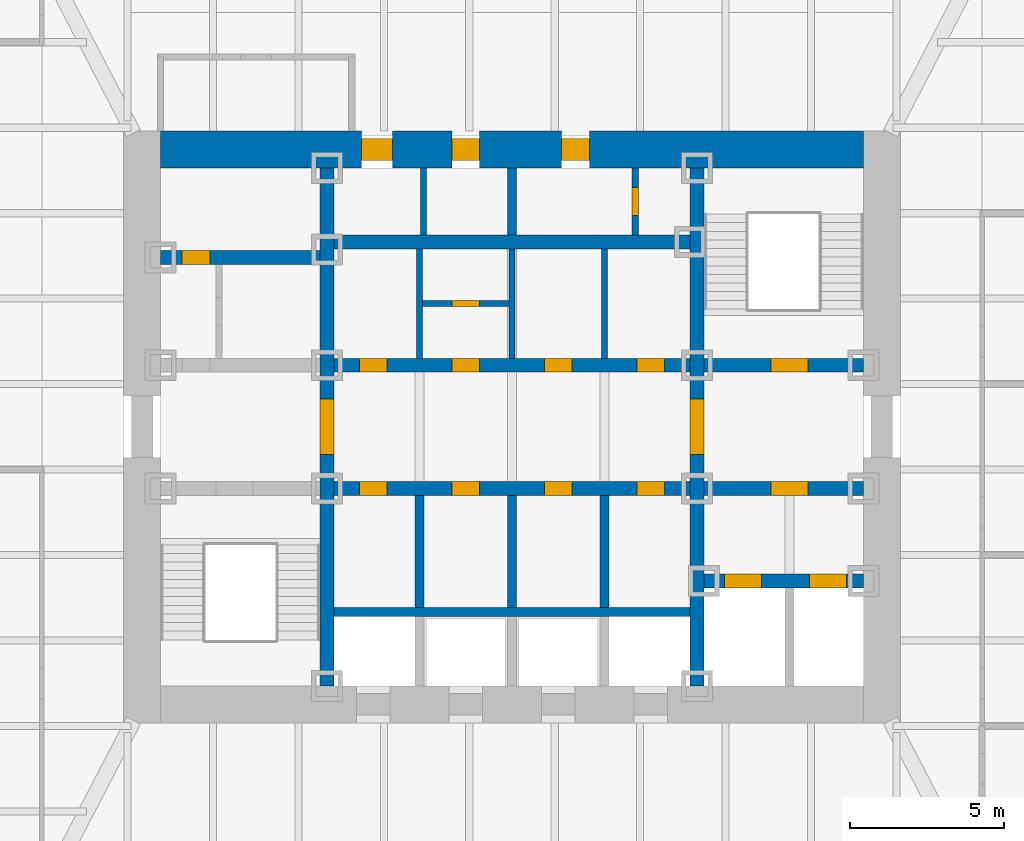
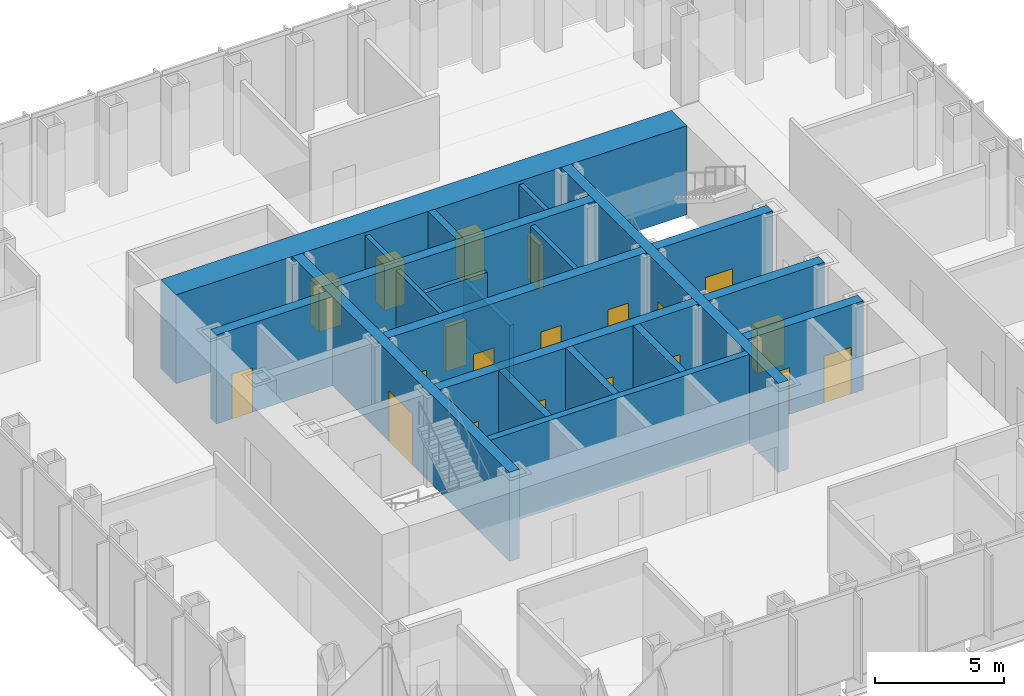
# One storey, part 9 of 16: 21 walls, 20 doors, 20 openings.
"""IFC4 building model written with IfcOpenShell, lengths in metres."""

from ifc_helpers import new_model, si_unit, direction, frame, frame_2d, origin, place, context, subcontext, project, spatial, rectangle, extrude, material, layer, layer_set, type_object, element, fill, save


model = new_model("IFC4")

# Units and contexts
model_context = context("Model", 3, precision=1e-05, world=origin(), true_north=direction((0.0, 1.0)))
body_context = subcontext(model_context, "Body", "Model", "MODEL_VIEW")
ifc_project = project(units=[si_unit("LENGTHUNIT", "METRE"), si_unit("AREAUNIT", "SQUARE_METRE"), si_unit("VOLUMEUNIT", "CUBIC_METRE"), si_unit("PLANEANGLEUNIT", "RADIAN"), si_unit("MASSUNIT", "GRAM", prefix="KILO")], contexts=[model_context])

# Site, building, storey
site_placement = place(None, origin())
site = spatial("IfcSite", under=ifc_project, at=site_placement, CompositionType="ELEMENT")
building_placement = place(site_placement, origin())
building = spatial("IfcBuilding", under=site, at=building_placement, Name="Daluyong Arena Tower", CompositionType="ELEMENT")
storey_placement = place(building_placement, frame((0.0, 0.0, 271.300048828125)))
storey = spatial("IfcBuildingStorey", under=building, at=storey_placement, Name="L61", CompositionType="ELEMENT", Elevation=271.300048828125)

# Wall, opening, door
ifc_material_1 = material(Name="Concrete fc' 45 MPa", Category="concrete")
ifc_layer_1 = layer(ifc_material_1, 0.449951171875)
ifc_layer_set_1 = layer_set([ifc_layer_1], Name="Concrete fc' 45 MPa")
wall_type_1 = type_object("IfcWallType", Name="Core inner wall 450", PredefinedType="SHEAR", material=ifc_layer_set_1)
wall_1_placement = place(storey_placement, frame((50.0, 71.60009765625, 0.0), z_axis=(0.0, 0.0, 1.0), x_axis=(0.0, 1.0, 0.0)))
wall_1 = element("IfcWall", 1, at=wall_1_placement, inside=storey, type_object=wall_type_1, Name="core inner wall at L61", PredefinedType="SHEAR", context=body_context, shape_type="SweptSolid", body=[
    extrude(rectangle(XDim=16.7998046875, YDim=0.449951171875, at=frame_2d((8.39990234375, 0.0))), origin(), (0.0, 0.0, 1.0), 4.199951171875),
])
opening_1_placement = place(wall_1_placement, frame((7.5, 0.0, 0.0)))
opening_1 = element("IfcOpeningElement", 2, at=opening_1_placement, cuts=wall_1, Name="Opening 61021", PredefinedType="OPENING", context=body_context, shape_type="SweptSolid", body=[
    extrude(rectangle(XDim=1.800048828125, YDim=2.39990234375, at=frame_2d((0.89990234375, 1.199951171875))), frame((0.0, 0.23486328125, 0.0), z_axis=(0.0, -1.0, 0.0), x_axis=(1.0, 0.0, 0.0)), (0.0, 0.0, 1.0), 0.469970703125),
])
ifc_material_2 = material(Name="Steel door, fire rated", Category="steel")
door_type_1 = type_object("IfcDoorType", Name="Lift lobby opening door 1800", OperationType="DOUBLE_DOOR_SINGLE_SWING", PredefinedType="DOOR", material=ifc_material_2)
door_1_placement = place(opening_1_placement, origin())
door_1 = element("IfcDoor", 3, at=door_1_placement, inside=storey, type_object=door_type_1, Name="lift lobby door west 61021", OperationType="DOUBLE_DOOR_SINGLE_SWING", OverallHeight=2.39990234375, OverallWidth=1.800048828125, PredefinedType="DOOR", context=body_context, shape_type="SweptSolid", body=[
    extrude(rectangle(XDim=1.800048828125, YDim=2.39990234375, at=frame_2d((0.89990234375, 1.199951171875))), frame((0.0, 0.224609375, 0.0), z_axis=(0.0, -1.0, 0.0), x_axis=(1.0, 0.0, 0.0)), (0.0, 0.0, 1.0), 0.449462890625),
])
fill(opening_1, door_1)

wall_2_placement = place(storey_placement, frame((62.0, 71.60009765625, 0.0), z_axis=(0.0, 0.0, 1.0), x_axis=(0.0, 1.0, 0.0)))
wall_2 = element("IfcWall", 4, at=wall_2_placement, inside=storey, type_object=wall_type_1, Name="core inner wall at L61", PredefinedType="SHEAR", context=body_context, shape_type="SweptSolid", body=[
    extrude(rectangle(XDim=16.7998046875, YDim=0.449951171875, at=frame_2d((8.39990234375, 0.0))), origin(), (0.0, 0.0, 1.0), 4.199951171875),
])
opening_2_placement = place(wall_2_placement, frame((7.5, 0.0, 0.0)))
opening_2 = element("IfcOpeningElement", 5, at=opening_2_placement, cuts=wall_2, Name="Opening 61022", PredefinedType="OPENING", context=body_context, shape_type="SweptSolid", body=[
    extrude(rectangle(XDim=1.800048828125, YDim=2.39990234375, at=frame_2d((0.89990234375, 1.199951171875))), frame((0.0, 0.23486328125, 0.0), z_axis=(0.0, -1.0, 0.0), x_axis=(1.0, 0.0, 0.0)), (0.0, 0.0, 1.0), 0.469970703125),
])
door_2_placement = place(opening_2_placement, origin())
door_2 = element("IfcDoor", 6, at=door_2_placement, inside=storey, type_object=door_type_1, Name="lift lobby door east 61022", OperationType="DOUBLE_DOOR_SINGLE_SWING", OverallHeight=2.39990234375, OverallWidth=1.800048828125, PredefinedType="DOOR", context=body_context, shape_type="SweptSolid", body=[
    extrude(rectangle(XDim=1.800048828125, YDim=2.39990234375, at=frame_2d((0.89990234375, 1.199951171875))), frame((0.0, 0.224609375, 0.0), z_axis=(0.0, -1.0, 0.0), x_axis=(1.0, 0.0, 0.0)), (0.0, 0.0, 1.0), 0.449462890625),
])
fill(opening_2, door_2)

wall_3_placement = place(storey_placement, frame((44.60009765625, 85.5, 0.0), z_axis=(0.0, 0.0, 1.0), x_axis=(1.0, 0.0, 0.0)))
wall_3 = element("IfcWall", 7, at=wall_3_placement, inside=storey, type_object=wall_type_1, Name="core inner wall at L61", PredefinedType="SHEAR", context=body_context, shape_type="SweptSolid", body=[
    extrude(rectangle(XDim=5.1748046875, YDim=0.449951171875, at=frame_2d((2.58740234375, 0.0))), origin(), (0.0, 0.0, 1.0), 4.199951171875),
])
opening_3_placement = place(wall_3_placement, frame((0.699951171875, 0.0, 0.0)))
opening_3 = element("IfcOpeningElement", 8, at=opening_3_placement, cuts=wall_3, Name="Opening 61003", PredefinedType="OPENING", context=body_context, shape_type="SweptSolid", body=[
    extrude(rectangle(XDim=0.89990234375, YDim=2.10009765625, at=frame_2d((0.449951171875, 1.050048828125))), frame((0.0, 0.23486328125, 0.0), z_axis=(0.0, -1.0, 0.0), x_axis=(1.0, 0.0, 0.0)), (0.0, 0.0, 1.0), 0.469970703125),
])
ifc_material_3 = material(Name="Timber door", Category="wood")
door_type_2 = type_object("IfcDoorType", Name="Toilet door 900", OperationType="SINGLE_SWING_RIGHT", PredefinedType="DOOR", material=ifc_material_3)
door_3_placement = place(opening_3_placement, origin())
door_3 = element("IfcDoor", 9, at=door_3_placement, inside=storey, type_object=door_type_2, Name="female toilet door 61003", OperationType="SINGLE_SWING_RIGHT", OverallHeight=2.10009765625, OverallWidth=0.89990234375, PredefinedType="DOOR", context=body_context, shape_type="SweptSolid", body=[
    extrude(rectangle(XDim=0.89990234375, YDim=2.10009765625, at=frame_2d((0.449951171875, 1.050048828125))), frame((0.0, 0.224609375, 0.0), z_axis=(0.0, -1.0, 0.0), x_axis=(1.0, 0.0, 0.0)), (0.0, 0.0, 1.0), 0.449462890625),
])
fill(opening_3, door_3)

# Wall, openings, doors
wall_4_placement = place(storey_placement, frame((62.22509765625, 75.0, 0.0), z_axis=(0.0, 0.0, 1.0), x_axis=(1.0, 0.0, 0.0)))
wall_4 = element("IfcWall", 10, at=wall_4_placement, inside=storey, type_object=wall_type_1, Name="core inner wall at L61", PredefinedType="SHEAR", context=body_context, shape_type="SweptSolid", body=[
    extrude(rectangle(XDim=5.1748046875, YDim=0.449951171875, at=frame_2d((2.58740234375, 0.0))), origin(), (0.0, 0.0, 1.0), 4.199951171875),
])
opening_4_placement = place(wall_4_placement, frame((0.675048828125, 0.0, 0.0)))
opening_4 = element("IfcOpeningElement", 11, at=opening_4_placement, cuts=wall_4, Name="Opening 61028", PredefinedType="OPENING", context=body_context, shape_type="SweptSolid", body=[
    extrude(rectangle(XDim=1.199951171875, YDim=2.199951171875, at=frame_2d((0.60009765625, 1.10009765625))), frame((0.0, 0.23486328125, 0.0), z_axis=(0.0, -1.0, 0.0), x_axis=(1.0, 0.0, 0.0)), (0.0, 0.0, 1.0), 0.469970703125),
])
opening_5_placement = place(wall_4_placement, frame((3.425048828125, 0.0, 0.0)))
opening_5 = element("IfcOpeningElement", 12, at=opening_5_placement, cuts=wall_4, Name="Opening 61029", PredefinedType="OPENING", context=body_context, shape_type="SweptSolid", body=[
    extrude(rectangle(XDim=1.199951171875, YDim=2.199951171875, at=frame_2d((0.60009765625, 1.10009765625))), frame((0.0, 0.23486328125, 0.0), z_axis=(0.0, -1.0, 0.0), x_axis=(1.0, 0.0, 0.0)), (0.0, 0.0, 1.0), 0.469970703125),
])
ifc_material_4 = material(Name="Steel door, fire rated", Category="steel")
door_type_3 = type_object("IfcDoorType", Name="Firefighting lift landing door 1200", OperationType="SLIDING_TO_LEFT", PredefinedType="DOOR", material=ifc_material_4)
door_4_placement = place(opening_4_placement, origin())
door_4 = element("IfcDoor", 13, at=door_4_placement, inside=storey, type_object=door_type_3, Name="firefighting lift landing door F1 61028", OperationType="SLIDING_TO_LEFT", OverallHeight=2.199951171875, OverallWidth=1.199951171875, PredefinedType="DOOR", context=body_context, shape_type="SweptSolid", body=[
    extrude(rectangle(XDim=1.199951171875, YDim=2.199951171875, at=frame_2d((0.60009765625, 1.10009765625))), frame((0.0, 0.224609375, 0.0), z_axis=(0.0, -1.0, 0.0), x_axis=(1.0, 0.0, 0.0)), (0.0, 0.0, 1.0), 0.449462890625),
])
fill(opening_4, door_4)
door_5_placement = place(opening_5_placement, origin())
door_5 = element("IfcDoor", 14, at=door_5_placement, inside=storey, type_object=door_type_3, Name="firefighting lift landing door F2 61029", OperationType="SLIDING_TO_LEFT", OverallHeight=2.199951171875, OverallWidth=1.199951171875, PredefinedType="DOOR", context=body_context, shape_type="SweptSolid", body=[
    extrude(rectangle(XDim=1.199951171875, YDim=2.199951171875, at=frame_2d((0.60009765625, 1.10009765625))), frame((0.0, 0.224609375, 0.0), z_axis=(0.0, -1.0, 0.0), x_axis=(1.0, 0.0, 0.0)), (0.0, 0.0, 1.0), 0.449462890625),
])
fill(opening_5, door_5)

# Wall, opening, door
wall_5_placement = place(storey_placement, frame((62.22509765625, 78.0, 0.0), z_axis=(0.0, 0.0, 1.0), x_axis=(1.0, 0.0, 0.0)))
wall_5 = element("IfcWall", 15, at=wall_5_placement, inside=storey, type_object=wall_type_1, Name="core inner wall at L61", PredefinedType="SHEAR", context=body_context, shape_type="SweptSolid", body=[
    extrude(rectangle(XDim=5.1748046875, YDim=0.449951171875, at=frame_2d((2.58740234375, 0.0))), origin(), (0.0, 0.0, 1.0), 4.199951171875),
])
opening_6_placement = place(wall_5_placement, frame((2.175048828125, 0.0, 0.0)))
opening_6 = element("IfcOpeningElement", 16, at=opening_6_placement, cuts=wall_5, Name="Opening 61023", PredefinedType="OPENING", context=body_context, shape_type="SweptSolid", body=[
    extrude(rectangle(XDim=1.199951171875, YDim=2.10009765625, at=frame_2d((0.60009765625, 1.050048828125))), frame((0.0, 0.23486328125, 0.0), z_axis=(0.0, -1.0, 0.0), x_axis=(1.0, 0.0, 0.0)), (0.0, 0.0, 1.0), 0.469970703125),
])
ifc_material_5 = material(Name="Steel door, fire rated", Category="steel")
door_type_4 = type_object("IfcDoorType", Name="Firefighting lobby door 1200", OperationType="SINGLE_SWING_RIGHT", PredefinedType="DOOR", material=ifc_material_5)
door_6_placement = place(opening_6_placement, origin())
door_6 = element("IfcDoor", 17, at=door_6_placement, inside=storey, type_object=door_type_4, Name="firefighting lobby door 61023", OperationType="SINGLE_SWING_RIGHT", OverallHeight=2.10009765625, OverallWidth=1.199951171875, PredefinedType="DOOR", context=body_context, shape_type="SweptSolid", body=[
    extrude(rectangle(XDim=1.199951171875, YDim=2.10009765625, at=frame_2d((0.60009765625, 1.050048828125))), frame((0.0, 0.224609375, 0.0), z_axis=(0.0, -1.0, 0.0), x_axis=(1.0, 0.0, 0.0)), (0.0, 0.0, 1.0), 0.449462890625),
])
fill(opening_6, door_6)

wall_6_placement = place(storey_placement, frame((62.22509765625, 82.0, 0.0), z_axis=(0.0, 0.0, 1.0), x_axis=(1.0, 0.0, 0.0)))
wall_6 = element("IfcWall", 18, at=wall_6_placement, inside=storey, type_object=wall_type_1, Name="core inner wall at L61", PredefinedType="SHEAR", context=body_context, shape_type="SweptSolid", body=[
    extrude(rectangle(XDim=5.1748046875, YDim=0.449951171875, at=frame_2d((2.58740234375, 0.0))), origin(), (0.0, 0.0, 1.0), 4.199951171875),
])
opening_7_placement = place(wall_6_placement, frame((2.175048828125, 0.0, 0.0)))
opening_7 = element("IfcOpeningElement", 19, at=opening_7_placement, cuts=wall_6, Name="Opening 61018", PredefinedType="OPENING", context=body_context, shape_type="SweptSolid", body=[
    extrude(rectangle(XDim=1.199951171875, YDim=2.10009765625, at=frame_2d((0.60009765625, 1.050048828125))), frame((0.0, 0.23486328125, 0.0), z_axis=(0.0, -1.0, 0.0), x_axis=(1.0, 0.0, 0.0)), (0.0, 0.0, 1.0), 0.469970703125),
])
ifc_material_6 = material(Name="Steel door, fire rated", Category="steel")
door_type_5 = type_object("IfcDoorType", Name="Stair door 1200", OperationType="SINGLE_SWING_LEFT", PredefinedType="DOOR", material=ifc_material_6)
door_7_placement = place(opening_7_placement, origin())
door_7 = element("IfcDoor", 20, at=door_7_placement, inside=storey, type_object=door_type_5, Name="stair B door 61018", OperationType="SINGLE_SWING_LEFT", OverallHeight=2.10009765625, OverallWidth=1.199951171875, PredefinedType="DOOR", context=body_context, shape_type="SweptSolid", body=[
    extrude(rectangle(XDim=1.199951171875, YDim=2.10009765625, at=frame_2d((0.60009765625, 1.050048828125))), frame((0.0, 0.224609375, 0.0), z_axis=(0.0, -1.0, 0.0), x_axis=(1.0, 0.0, 0.0)), (0.0, 0.0, 1.0), 0.449462890625),
])
fill(opening_7, door_7)

# Wall, openings, doors
wall_7_placement = place(storey_placement, frame((50.22509765625, 78.0, 0.0), z_axis=(0.0, 0.0, 1.0), x_axis=(1.0, 0.0, 0.0)))
wall_7 = element("IfcWall", 21, at=wall_7_placement, inside=storey, type_object=wall_type_1, Name="core inner wall at L61", PredefinedType="SHEAR", context=body_context, shape_type="SweptSolid", body=[
    extrude(rectangle(XDim=11.5498046875, YDim=0.449951171875, at=frame_2d((5.77490234375, 0.0))), origin(), (0.0, 0.0, 1.0), 4.199951171875),
])
opening_8_placement = place(wall_7_placement, frame((0.824951171875, 0.0, 0.0)))
opening_8 = element("IfcOpeningElement", 22, at=opening_8_placement, cuts=wall_7, Name="Opening 61008", PredefinedType="OPENING", context=body_context, shape_type="SweptSolid", body=[
    extrude(rectangle(XDim=0.89990234375, YDim=2.10009765625, at=frame_2d((0.449951171875, 1.050048828125))), frame((0.0, 0.23486328125, 0.0), z_axis=(0.0, -1.0, 0.0), x_axis=(1.0, 0.0, 0.0)), (0.0, 0.0, 1.0), 0.469970703125),
])
opening_9_placement = place(wall_7_placement, frame((3.824951171875, 0.0, 0.0)))
opening_9 = element("IfcOpeningElement", 23, at=opening_9_placement, cuts=wall_7, Name="Opening 61009", PredefinedType="OPENING", context=body_context, shape_type="SweptSolid", body=[
    extrude(rectangle(XDim=0.89990234375, YDim=2.10009765625, at=frame_2d((0.449951171875, 1.050048828125))), frame((0.0, 0.23486328125, 0.0), z_axis=(0.0, -1.0, 0.0), x_axis=(1.0, 0.0, 0.0)), (0.0, 0.0, 1.0), 0.469970703125),
])
opening_10_placement = place(wall_7_placement, frame((6.824951171875, 0.0, 0.0)))
opening_10 = element("IfcOpeningElement", 24, at=opening_10_placement, cuts=wall_7, Name="Opening 61010", PredefinedType="OPENING", context=body_context, shape_type="SweptSolid", body=[
    extrude(rectangle(XDim=0.89990234375, YDim=2.10009765625, at=frame_2d((0.449951171875, 1.050048828125))), frame((0.0, 0.23486328125, 0.0), z_axis=(0.0, -1.0, 0.0), x_axis=(1.0, 0.0, 0.0)), (0.0, 0.0, 1.0), 0.469970703125),
])
opening_11_placement = place(wall_7_placement, frame((9.824951171875, 0.0, 0.0)))
opening_11 = element("IfcOpeningElement", 25, at=opening_11_placement, cuts=wall_7, Name="Opening 61011", PredefinedType="OPENING", context=body_context, shape_type="SweptSolid", body=[
    extrude(rectangle(XDim=0.89990234375, YDim=2.10009765625, at=frame_2d((0.449951171875, 1.050048828125))), frame((0.0, 0.23486328125, 0.0), z_axis=(0.0, -1.0, 0.0), x_axis=(1.0, 0.0, 0.0)), (0.0, 0.0, 1.0), 0.469970703125),
])
ifc_material_7 = material(Name="Steel door, fire rated", Category="steel")
door_type_6 = type_object("IfcDoorType", Name="Core room door 900", OperationType="SINGLE_SWING_LEFT", PredefinedType="DOOR", material=ifc_material_7)
door_8_placement = place(opening_9_placement, origin())
door_8 = element("IfcDoor", 26, at=door_8_placement, inside=storey, type_object=door_type_6, Name="vending room door 61009", OperationType="SINGLE_SWING_LEFT", OverallHeight=2.10009765625, OverallWidth=0.89990234375, PredefinedType="DOOR", context=body_context, shape_type="SweptSolid", body=[
    extrude(rectangle(XDim=0.89990234375, YDim=2.10009765625, at=frame_2d((0.449951171875, 1.050048828125))), frame((0.0, 0.224609375, 0.0), z_axis=(0.0, -1.0, 0.0), x_axis=(1.0, 0.0, 0.0)), (0.0, 0.0, 1.0), 0.449462890625),
])
fill(opening_9, door_8)
door_9_placement = place(opening_10_placement, origin())
door_9 = element("IfcDoor", 27, at=door_9_placement, inside=storey, type_object=door_type_6, Name="parcel room door 61010", OperationType="SINGLE_SWING_LEFT", OverallHeight=2.10009765625, OverallWidth=0.89990234375, PredefinedType="DOOR", context=body_context, shape_type="SweptSolid", body=[
    extrude(rectangle(XDim=0.89990234375, YDim=2.10009765625, at=frame_2d((0.449951171875, 1.050048828125))), frame((0.0, 0.224609375, 0.0), z_axis=(0.0, -1.0, 0.0), x_axis=(1.0, 0.0, 0.0)), (0.0, 0.0, 1.0), 0.449462890625),
])
fill(opening_10, door_9)
ifc_material_8 = material(Name="Steel door, fire rated", Category="steel")
door_type_7 = type_object("IfcDoorType", Name="Core store door 900", OperationType="SINGLE_SWING_LEFT", PredefinedType="DOOR", material=ifc_material_8)
door_10_placement = place(opening_8_placement, origin())
door_10 = element("IfcDoor", 28, at=door_10_placement, inside=storey, type_object=door_type_7, Name="tenant store door 61008", OperationType="SINGLE_SWING_LEFT", OverallHeight=2.10009765625, OverallWidth=0.89990234375, PredefinedType="DOOR", context=body_context, shape_type="SweptSolid", body=[
    extrude(rectangle(XDim=0.89990234375, YDim=2.10009765625, at=frame_2d((0.449951171875, 1.050048828125))), frame((0.0, 0.224609375, 0.0), z_axis=(0.0, -1.0, 0.0), x_axis=(1.0, 0.0, 0.0)), (0.0, 0.0, 1.0), 0.449462890625),
])
fill(opening_8, door_10)
door_11_placement = place(opening_11_placement, origin())
door_11 = element("IfcDoor", 29, at=door_11_placement, inside=storey, type_object=door_type_7, Name="security store door 61011", OperationType="SINGLE_SWING_LEFT", OverallHeight=2.10009765625, OverallWidth=0.89990234375, PredefinedType="DOOR", context=body_context, shape_type="SweptSolid", body=[
    extrude(rectangle(XDim=0.89990234375, YDim=2.10009765625, at=frame_2d((0.449951171875, 1.050048828125))), frame((0.0, 0.224609375, 0.0), z_axis=(0.0, -1.0, 0.0), x_axis=(1.0, 0.0, 0.0)), (0.0, 0.0, 1.0), 0.449462890625),
])
fill(opening_11, door_11)

wall_8_placement = place(storey_placement, frame((50.22509765625, 82.0, 0.0), z_axis=(0.0, 0.0, 1.0), x_axis=(1.0, 0.0, 0.0)))
wall_8 = element("IfcWall", 30, at=wall_8_placement, inside=storey, type_object=wall_type_1, Name="core inner wall at L61", PredefinedType="SHEAR", context=body_context, shape_type="SweptSolid", body=[
    extrude(rectangle(XDim=11.5498046875, YDim=0.449951171875, at=frame_2d((5.77490234375, 0.0))), origin(), (0.0, 0.0, 1.0), 4.199951171875),
])
opening_12_placement = place(wall_8_placement, frame((0.824951171875, 0.0, 0.0)))
opening_12 = element("IfcOpeningElement", 31, at=opening_12_placement, cuts=wall_8, Name="Opening 61012", PredefinedType="OPENING", context=body_context, shape_type="SweptSolid", body=[
    extrude(rectangle(XDim=0.89990234375, YDim=2.10009765625, at=frame_2d((0.449951171875, 1.050048828125))), frame((0.0, 0.23486328125, 0.0), z_axis=(0.0, -1.0, 0.0), x_axis=(1.0, 0.0, 0.0)), (0.0, 0.0, 1.0), 0.469970703125),
])
opening_13_placement = place(wall_8_placement, frame((3.824951171875, 0.0, 0.0)))
opening_13 = element("IfcOpeningElement", 32, at=opening_13_placement, cuts=wall_8, Name="Opening 61013", PredefinedType="OPENING", context=body_context, shape_type="SweptSolid", body=[
    extrude(rectangle(XDim=0.89990234375, YDim=2.10009765625, at=frame_2d((0.449951171875, 1.050048828125))), frame((0.0, 0.23486328125, 0.0), z_axis=(0.0, -1.0, 0.0), x_axis=(1.0, 0.0, 0.0)), (0.0, 0.0, 1.0), 0.469970703125),
])
opening_14_placement = place(wall_8_placement, frame((6.824951171875, 0.0, 0.0)))
opening_14 = element("IfcOpeningElement", 33, at=opening_14_placement, cuts=wall_8, Name="Opening 61015", PredefinedType="OPENING", context=body_context, shape_type="SweptSolid", body=[
    extrude(rectangle(XDim=0.89990234375, YDim=2.10009765625, at=frame_2d((0.449951171875, 1.050048828125))), frame((0.0, 0.23486328125, 0.0), z_axis=(0.0, -1.0, 0.0), x_axis=(1.0, 0.0, 0.0)), (0.0, 0.0, 1.0), 0.469970703125),
])
opening_15_placement = place(wall_8_placement, frame((9.824951171875, 0.0, 0.0)))
opening_15 = element("IfcOpeningElement", 34, at=opening_15_placement, cuts=wall_8, Name="Opening 61016", PredefinedType="OPENING", context=body_context, shape_type="SweptSolid", body=[
    extrude(rectangle(XDim=0.89990234375, YDim=2.10009765625, at=frame_2d((0.449951171875, 1.050048828125))), frame((0.0, 0.23486328125, 0.0), z_axis=(0.0, -1.0, 0.0), x_axis=(1.0, 0.0, 0.0)), (0.0, 0.0, 1.0), 0.469970703125),
])
door_12_placement = place(opening_12_placement, origin())
door_12 = element("IfcDoor", 35, at=door_12_placement, inside=storey, type_object=door_type_6, Name="tea point door 61012", OperationType="SINGLE_SWING_LEFT", OverallHeight=2.10009765625, OverallWidth=0.89990234375, PredefinedType="DOOR", context=body_context, shape_type="SweptSolid", body=[
    extrude(rectangle(XDim=0.89990234375, YDim=2.10009765625, at=frame_2d((0.449951171875, 1.050048828125))), frame((0.0, 0.224609375, 0.0), z_axis=(0.0, -1.0, 0.0), x_axis=(1.0, 0.0, 0.0)), (0.0, 0.0, 1.0), 0.449462890625),
])
fill(opening_12, door_12)
door_13_placement = place(opening_14_placement, origin())
door_13 = element("IfcDoor", 36, at=door_13_placement, inside=storey, type_object=door_type_6, Name="staff pantry door 61015", OperationType="SINGLE_SWING_LEFT", OverallHeight=2.10009765625, OverallWidth=0.89990234375, PredefinedType="DOOR", context=body_context, shape_type="SweptSolid", body=[
    extrude(rectangle(XDim=0.89990234375, YDim=2.10009765625, at=frame_2d((0.449951171875, 1.050048828125))), frame((0.0, 0.224609375, 0.0), z_axis=(0.0, -1.0, 0.0), x_axis=(1.0, 0.0, 0.0)), (0.0, 0.0, 1.0), 0.449462890625),
])
fill(opening_14, door_13)
door_14_placement = place(opening_15_placement, origin())
door_14 = element("IfcDoor", 37, at=door_14_placement, inside=storey, type_object=door_type_6, Name="print room door 61016", OperationType="SINGLE_SWING_LEFT", OverallHeight=2.10009765625, OverallWidth=0.89990234375, PredefinedType="DOOR", context=body_context, shape_type="SweptSolid", body=[
    extrude(rectangle(XDim=0.89990234375, YDim=2.10009765625, at=frame_2d((0.449951171875, 1.050048828125))), frame((0.0, 0.224609375, 0.0), z_axis=(0.0, -1.0, 0.0), x_axis=(1.0, 0.0, 0.0)), (0.0, 0.0, 1.0), 0.449462890625),
])
fill(opening_15, door_14)
door_15_placement = place(opening_13_placement, origin())
door_15 = element("IfcDoor", 38, at=door_15_placement, inside=storey, type_object=door_type_7, Name="cleaner's store door 61013", OperationType="SINGLE_SWING_LEFT", OverallHeight=2.10009765625, OverallWidth=0.89990234375, PredefinedType="DOOR", context=body_context, shape_type="SweptSolid", body=[
    extrude(rectangle(XDim=0.89990234375, YDim=2.10009765625, at=frame_2d((0.449951171875, 1.050048828125))), frame((0.0, 0.224609375, 0.0), z_axis=(0.0, -1.0, 0.0), x_axis=(1.0, 0.0, 0.0)), (0.0, 0.0, 1.0), 0.449462890625),
])
fill(opening_13, door_15)

# Wall
wall_9_placement = place(storey_placement, frame((50.22509765625, 86.0, 0.0), z_axis=(0.0, 0.0, 1.0), x_axis=(1.0, 0.0, 0.0)))
element("IfcWall", 39, at=wall_9_placement, inside=storey, type_object=wall_type_1, Name="core inner wall at L61", PredefinedType="SHEAR", context=body_context, shape_type="SweptSolid", body=[
    extrude(rectangle(XDim=11.5498046875, YDim=0.449951171875, at=frame_2d((5.77490234375, 0.0))), origin(), (0.0, 0.0, 1.0), 4.199951171875),
])

# Wall, openings, doors
ifc_material_9 = material(Name="Concrete fc' 60 MPa", Category="concrete")
ifc_layer_2 = layer(ifc_material_9, 1.199951171875)
ifc_layer_set_2 = layer_set([ifc_layer_2], Name="Concrete fc' 60 MPa")
wall_type_2 = type_object("IfcWallType", Name="Core wall 1200", PredefinedType="SHEAR", material=ifc_layer_set_2)
wall_10_placement = place(storey_placement, frame((44.60009765625, 89.0, 0.0), z_axis=(0.0, 0.0, 1.0), x_axis=(1.0, 0.0, 0.0)))
wall_10 = element("IfcWall", 40, at=wall_10_placement, inside=storey, type_object=wall_type_2, Name="core wall at L61", PredefinedType="SHEAR", context=body_context, shape_type="SweptSolid", body=[
    extrude(rectangle(XDim=22.7998046875, YDim=1.199951171875, at=frame_2d((11.39990234375, 0.0))), origin(), (0.0, 0.0, 1.0), 4.199951171875),
])
opening_16_placement = place(wall_10_placement, frame((6.52490234375, 0.0, 0.0)))
opening_16 = element("IfcOpeningElement", 41, at=opening_16_placement, cuts=wall_10, Name="Opening 61004", PredefinedType="OPENING", context=body_context, shape_type="SweptSolid", body=[
    extrude(rectangle(XDim=1.0, YDim=2.10009765625, at=frame_2d((0.5, 1.050048828125))), frame((0.0, 0.60986328125, 0.0), z_axis=(0.0, -1.0, 0.0), x_axis=(1.0, 0.0, 0.0)), (0.0, 0.0, 1.0), 1.219970703125),
])
opening_17_placement = place(wall_10_placement, frame((9.449951171875, 0.0, 0.0)))
opening_17 = element("IfcOpeningElement", 42, at=opening_17_placement, cuts=wall_10, Name="Opening 61005", PredefinedType="OPENING", context=body_context, shape_type="SweptSolid", body=[
    extrude(rectangle(XDim=0.89990234375, YDim=2.10009765625, at=frame_2d((0.449951171875, 1.050048828125))), frame((0.0, 0.60986328125, 0.0), z_axis=(0.0, -1.0, 0.0), x_axis=(1.0, 0.0, 0.0)), (0.0, 0.0, 1.0), 1.219970703125),
])
opening_18_placement = place(wall_10_placement, frame((13.012451171875, 0.0, 0.0)))
opening_18 = element("IfcOpeningElement", 43, at=opening_18_placement, cuts=wall_10, Name="Opening 61006", PredefinedType="OPENING", context=body_context, shape_type="SweptSolid", body=[
    extrude(rectangle(XDim=0.89990234375, YDim=2.10009765625, at=frame_2d((0.449951171875, 1.050048828125))), frame((0.0, 0.60986328125, 0.0), z_axis=(0.0, -1.0, 0.0), x_axis=(1.0, 0.0, 0.0)), (0.0, 0.0, 1.0), 1.219970703125),
])
ifc_material_10 = material(Name="Timber door", Category="wood")
door_type_8 = type_object("IfcDoorType", Name="Accessible toilet door 1000", OperationType="SINGLE_SWING_LEFT", PredefinedType="DOOR", material=ifc_material_10)
door_16_placement = place(opening_16_placement, origin())
door_16 = element("IfcDoor", 44, at=door_16_placement, inside=storey, type_object=door_type_8, Name="accessible toilet door 61004", OperationType="SINGLE_SWING_LEFT", OverallHeight=2.10009765625, OverallWidth=1.0, PredefinedType="DOOR", context=body_context, shape_type="SweptSolid", body=[
    extrude(rectangle(XDim=1.0, YDim=2.10009765625, at=frame_2d((0.5, 1.050048828125))), frame((0.0, 0.35009765625, 0.0), z_axis=(0.0, -1.0, 0.0), x_axis=(1.0, 0.0, 0.0)), (0.0, 0.0, 1.0), 0.699951171875),
])
fill(opening_16, door_16)
door_17_placement = place(opening_17_placement, origin())
door_17 = element("IfcDoor", 45, at=door_17_placement, inside=storey, type_object=door_type_7, Name="facilities store door 61005", OperationType="SINGLE_SWING_LEFT", OverallHeight=2.10009765625, OverallWidth=0.89990234375, PredefinedType="DOOR", context=body_context, shape_type="SweptSolid", body=[
    extrude(rectangle(XDim=0.89990234375, YDim=2.10009765625, at=frame_2d((0.449951171875, 1.050048828125))), frame((0.0, 0.35009765625, 0.0), z_axis=(0.0, -1.0, 0.0), x_axis=(1.0, 0.0, 0.0)), (0.0, 0.0, 1.0), 0.699951171875),
])
fill(opening_17, door_17)
door_18_placement = place(opening_18_placement, origin())
door_18 = element("IfcDoor", 46, at=door_18_placement, inside=storey, type_object=door_type_7, Name="stationery store door 61006", OperationType="SINGLE_SWING_LEFT", OverallHeight=2.10009765625, OverallWidth=0.89990234375, PredefinedType="DOOR", context=body_context, shape_type="SweptSolid", body=[
    extrude(rectangle(XDim=0.89990234375, YDim=2.10009765625, at=frame_2d((0.449951171875, 1.050048828125))), frame((0.0, 0.35009765625, 0.0), z_axis=(0.0, -1.0, 0.0), x_axis=(1.0, 0.0, 0.0)), (0.0, 0.0, 1.0), 0.699951171875),
])
fill(opening_18, door_18)

# Wall
ifc_material_11 = material(Name="Concrete block partition, fire rated", Category="concrete")
ifc_layer_3 = layer(ifc_material_11, 0.199951171875)
ifc_layer_set_3 = layer_set([ifc_layer_3], Name="Concrete block partition, fire rated")
wall_type_3 = type_object("IfcWallType", Name="Fire-rated partition 200", PredefinedType="PARTITIONING", material=ifc_layer_set_3)
wall_11_placement = place(storey_placement, frame((53.125, 86.22509765625, 0.0), z_axis=(0.0, 0.0, 1.0), x_axis=(0.0, 1.0, 0.0)))
element("IfcWall", 47, at=wall_11_placement, inside=storey, type_object=wall_type_3, Name="core room partition at L61", PredefinedType="PARTITIONING", context=body_context, shape_type="SweptSolid", body=[
    extrude(rectangle(XDim=2.1748046875, YDim=0.199951171875, at=frame_2d((1.08740234375, 0.0))), origin(), (0.0, 0.0, 1.0), 4.0400390625),
])

# Wall, opening, door
wall_12_placement = place(storey_placement, frame((60.0, 86.22509765625, 0.0), z_axis=(0.0, 0.0, 1.0), x_axis=(0.0, 1.0, 0.0)))
wall_12 = element("IfcWall", 48, at=wall_12_placement, inside=storey, type_object=wall_type_3, Name="electrical riser enclosure at L61", PredefinedType="PARTITIONING", context=body_context, shape_type="SweptSolid", body=[
    extrude(rectangle(XDim=2.1748046875, YDim=0.199951171875, at=frame_2d((1.08740234375, 0.0))), origin(), (0.0, 0.0, 1.0), 4.0400390625),
])
opening_19_placement = place(wall_12_placement, frame((0.637451171875, 0.0, 0.0)))
opening_19 = element("IfcOpeningElement", 49, at=opening_19_placement, cuts=wall_12, Name="Opening 61007", PredefinedType="OPENING", context=body_context, shape_type="SweptSolid", body=[
    extrude(rectangle(XDim=0.89990234375, YDim=2.10009765625, at=frame_2d((0.449951171875, 1.050048828125))), frame((0.0, 0.10986328125, 0.0), z_axis=(0.0, -1.0, 0.0), x_axis=(1.0, 0.0, 0.0)), (0.0, 0.0, 1.0), 0.219970703125),
])
ifc_material_12 = material(Name="Steel door, fire rated", Category="steel")
door_type_9 = type_object("IfcDoorType", Name="Riser door 900", OperationType="SINGLE_SWING_LEFT", PredefinedType="DOOR", material=ifc_material_12)
door_19_placement = place(opening_19_placement, origin())
door_19 = element("IfcDoor", 50, at=door_19_placement, inside=storey, type_object=door_type_9, Name="riser door 61007", OperationType="SINGLE_SWING_LEFT", OverallHeight=2.10009765625, OverallWidth=0.89990234375, PredefinedType="DOOR", context=body_context, shape_type="SweptSolid", body=[
    extrude(rectangle(XDim=0.89990234375, YDim=2.10009765625, at=frame_2d((0.449951171875, 1.050048828125))), frame((0.0, 0.099609375, 0.0), z_axis=(0.0, -1.0, 0.0), x_axis=(1.0, 0.0, 0.0)), (0.0, 0.0, 1.0), 0.199462890625),
])
fill(opening_19, door_19)

# Walls
wall_13_placement = place(storey_placement, frame((53.0, 82.22509765625, 0.0), z_axis=(0.0, 0.0, 1.0), x_axis=(0.0, 1.0, 0.0)))
element("IfcWall", 51, at=wall_13_placement, inside=storey, type_object=wall_type_3, Name="core room partition at L61", PredefinedType="PARTITIONING", context=body_context, shape_type="SweptSolid", body=[
    extrude(rectangle(XDim=3.5498046875, YDim=0.199951171875, at=frame_2d((1.77490234375, 0.0))), origin(), (0.0, 0.0, 1.0), 4.0400390625),
])
wall_14_placement = place(storey_placement, frame((56.0, 82.22509765625, 0.0), z_axis=(0.0, 0.0, 1.0), x_axis=(0.0, 1.0, 0.0)))
element("IfcWall", 52, at=wall_14_placement, inside=storey, type_object=wall_type_3, Name="core room partition at L61", PredefinedType="PARTITIONING", context=body_context, shape_type="SweptSolid", body=[
    extrude(rectangle(XDim=3.5498046875, YDim=0.199951171875, at=frame_2d((1.77490234375, 0.0))), origin(), (0.0, 0.0, 1.0), 2.5400390625),
])

# Wall, opening, door
wall_15_placement = place(storey_placement, frame((53.10009765625, 84.0, 0.0), z_axis=(0.0, 0.0, 1.0), x_axis=(1.0, 0.0, 0.0)))
wall_15 = element("IfcWall", 53, at=wall_15_placement, inside=storey, type_object=wall_type_3, Name="back store partition at L61", PredefinedType="PARTITIONING", context=body_context, shape_type="SweptSolid", body=[
    extrude(rectangle(XDim=2.7998046875, YDim=0.199951171875, at=frame_2d((1.39990234375, 0.0))), origin(), (0.0, 0.0, 1.0), 4.0400390625),
])
opening_20_placement = place(wall_15_placement, frame((0.949951171875, 0.0, 0.0)))
opening_20 = element("IfcOpeningElement", 54, at=opening_20_placement, cuts=wall_15, Name="Opening 61014", PredefinedType="OPENING", context=body_context, shape_type="SweptSolid", body=[
    extrude(rectangle(XDim=0.89990234375, YDim=2.10009765625, at=frame_2d((0.449951171875, 1.050048828125))), frame((0.0, 0.10986328125, 0.0), z_axis=(0.0, -1.0, 0.0), x_axis=(1.0, 0.0, 0.0)), (0.0, 0.0, 1.0), 0.219970703125),
])
door_20_placement = place(opening_20_placement, origin())
door_20 = element("IfcDoor", 55, at=door_20_placement, inside=storey, type_object=door_type_7, Name="furniture store door 61014", OperationType="SINGLE_SWING_LEFT", OverallHeight=2.10009765625, OverallWidth=0.89990234375, PredefinedType="DOOR", context=body_context, shape_type="SweptSolid", body=[
    extrude(rectangle(XDim=0.89990234375, YDim=2.10009765625, at=frame_2d((0.449951171875, 1.050048828125))), frame((0.0, 0.099609375, 0.0), z_axis=(0.0, -1.0, 0.0), x_axis=(1.0, 0.0, 0.0)), (0.0, 0.0, 1.0), 0.199462890625),
])
fill(opening_20, door_20)

# Walls
wall_16_placement = place(storey_placement, frame((59.0, 82.22509765625, 0.0), z_axis=(0.0, 0.0, 1.0), x_axis=(0.0, 1.0, 0.0)))
element("IfcWall", 56, at=wall_16_placement, inside=storey, type_object=wall_type_3, Name="core room partition at L61", PredefinedType="PARTITIONING", context=body_context, shape_type="SweptSolid", body=[
    extrude(rectangle(XDim=3.5498046875, YDim=0.199951171875, at=frame_2d((1.77490234375, 0.0))), origin(), (0.0, 0.0, 1.0), 4.0400390625),
])
ifc_material_13 = material(Name="Concrete fc' 45 MPa", Category="concrete")
ifc_layer_4 = layer(ifc_material_13, 0.300048828125)
ifc_layer_set_4 = layer_set([ifc_layer_4], Name="Concrete fc' 45 MPa")
wall_type_4 = type_object("IfcWallType", Name="Lift shaft wall 300", PredefinedType="SHEAR", material=ifc_layer_set_4)
wall_17_placement = place(storey_placement, frame((50.22509765625, 74.0, 0.0), z_axis=(0.0, 0.0, 1.0), x_axis=(1.0, 0.0, 0.0)))
element("IfcWall", 57, at=wall_17_placement, inside=storey, type_object=wall_type_4, Name="lift shaft wall at L61", PredefinedType="SHEAR", context=body_context, shape_type="SweptSolid", body=[
    extrude(rectangle(XDim=11.5498046875, YDim=0.300048828125, at=frame_2d((5.77490234375, 0.0))), origin(), (0.0, 0.0, 1.0), 4.199951171875),
])
for number, where, z_axis, x_axis, name in (
    (58, (53.0, 74.14990234375, 0.0), (0.0, 0.0, 1.0), (0.0, 1.0, 0.0), "lift shaft wall at L61"),
    (59, (56.0, 74.14990234375, 0.0), (0.0, 0.0, 1.0), (0.0, 1.0, 0.0), "lift shaft wall at L61"),
    (60, (59.0, 74.14990234375, 0.0), (0.0, 0.0, 1.0), (0.0, 1.0, 0.0), "lift shaft wall at L61"),
):
    element("IfcWall", number, at=place(storey_placement, frame(where, z_axis=z_axis, x_axis=x_axis)), inside=storey, type_object=wall_type_4, Name=name, PredefinedType="SHEAR", context=body_context, shape_type="SweptSolid", body=[
        extrude(rectangle(XDim=3.625, YDim=0.300048828125, at=frame_2d((1.8125, 0.0))), origin(), (0.0, 0.0, 1.0), 4.199951171875),
    ])
wall_18_placement = place(storey_placement, frame((56.0, 86.22509765625, 0.0), z_axis=(0.0, 0.0, 1.0), x_axis=(0.0, 1.0, 0.0)))
element("IfcWall", 61, at=wall_18_placement, inside=storey, type_object=wall_type_4, Name="lift shaft wall at L61", PredefinedType="SHEAR", context=body_context, shape_type="SweptSolid", body=[
    extrude(rectangle(XDim=2.1748046875, YDim=0.300048828125, at=frame_2d((1.08740234375, 0.0))), origin(), (0.0, 0.0, 1.0), 4.199951171875),
])

save(model, "model.ifc")
